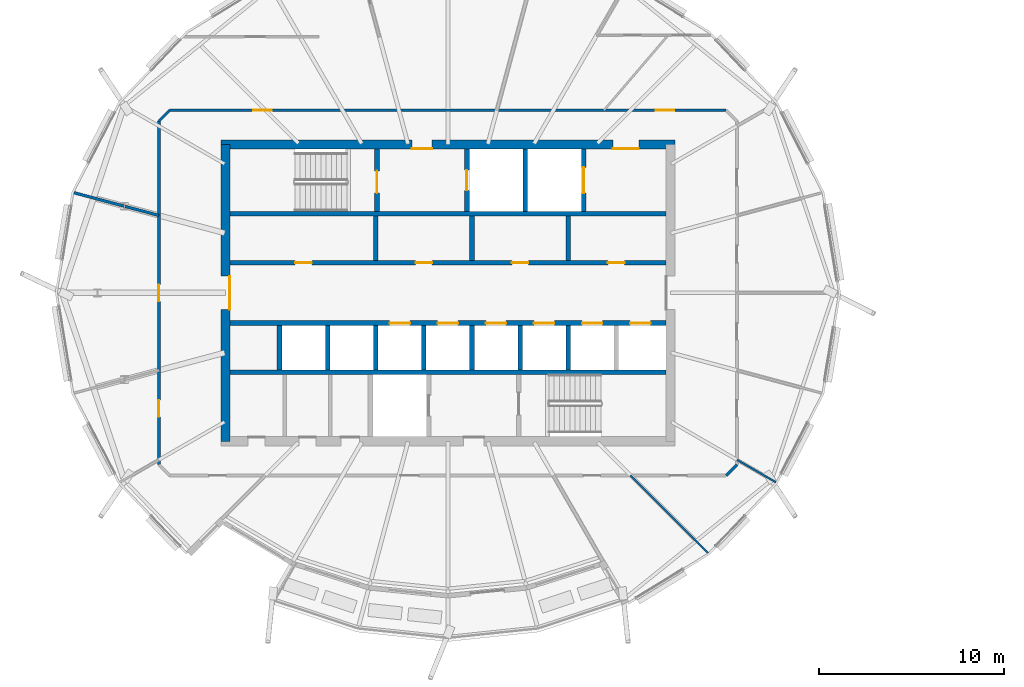
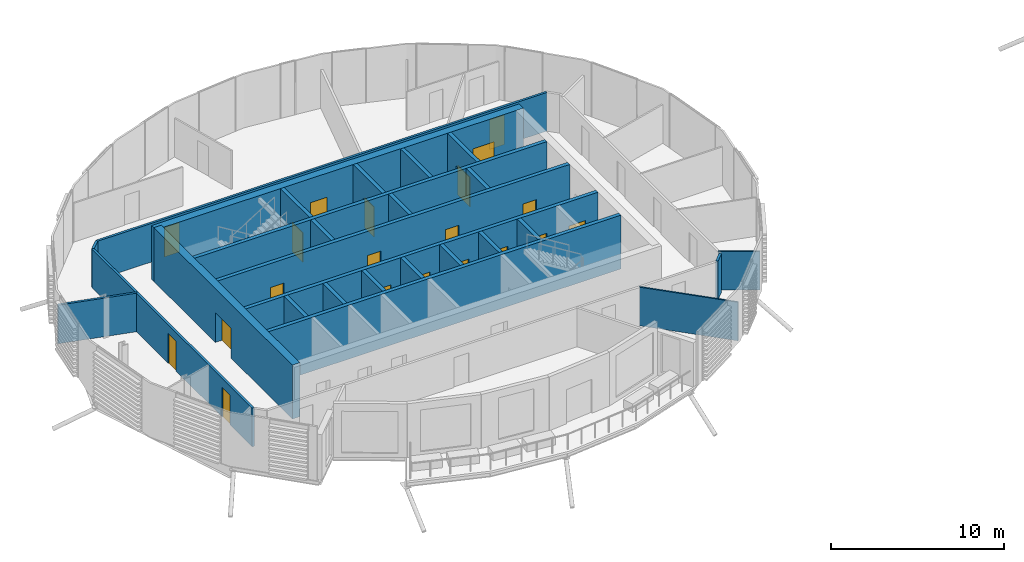
# One storey, part 21 of 41: 27 walls, 20 doors, 20 openings.
"""IFC4 building model written with IfcOpenShell, lengths in metres."""

from ifc_helpers import new_model, si_unit, direction, frame, frame_2d, origin, place, context, subcontext, project, spatial, rectangle, extrude, material, layer, layer_set, type_object, element, fill, save


model = new_model("IFC4")

# Units and contexts
model_context = context("Model", 3, precision=1e-05, world=origin(), true_north=direction((0.0, 1.0)))
body_context = subcontext(model_context, "Body", "Model", "MODEL_VIEW")
ifc_project = project(units=[si_unit("LENGTHUNIT", "METRE"), si_unit("AREAUNIT", "SQUARE_METRE"), si_unit("VOLUMEUNIT", "CUBIC_METRE"), si_unit("PLANEANGLEUNIT", "RADIAN"), si_unit("MASSUNIT", "GRAM", prefix="KILO")], contexts=[model_context])

# Site, building, storey
site_placement = place(None, origin())
site = spatial("IfcSite", under=ifc_project, at=site_placement, CompositionType="ELEMENT")
building_placement = place(site_placement, origin())
building = spatial("IfcBuilding", under=site, at=building_placement, Name="Rimbun Link Towers", CompositionType="ELEMENT")
storey_placement = place(building_placement, frame((0.0, 0.0, 210.5)))
storey = spatial("IfcBuildingStorey", under=building, at=storey_placement, Name="L51", CompositionType="ELEMENT", Elevation=210.5)

# Wall, openings, doors
ifc_material_1 = material(Name="Concrete C60/75", Category="concrete")
ifc_layer_1 = layer(ifc_material_1, 0.5)
ifc_layer_set_1 = layer_set([ifc_layer_1], Name="Core shear wall 500")
wall_type_1 = type_object("IfcWallType", Name="Core shear wall 500", PredefinedType="SHEAR", material=ifc_layer_set_1)
wall_1_placement = place(storey_placement, frame((-44.0, 8.0, 0.0), z_axis=(0.0, 0.0, 1.0), x_axis=(1.0, 0.0, 0.0)))
wall_1 = element("IfcWall", 1, at=wall_1_placement, inside=storey, type_object=wall_type_1, Name="L51 T1 core wall N", PredefinedType="SHEAR", context=body_context, shape_type="SweptSolid", body=[
    extrude(rectangle(XDim=24.5, YDim=0.5, at=frame_2d((12.25, 0.0))), origin(), (0.0, 0.0, 1.0), 3.800048828125),
])
opening_1_placement = place(wall_1_placement, frame((10.300048828125, 0.0, 0.0)))
opening_1 = element("IfcOpeningElement", 2, at=opening_1_placement, cuts=wall_1, Name="Opening C1DCF01N", PredefinedType="OPENING", context=body_context, shape_type="SweptSolid", body=[
    extrude(rectangle(XDim=1.10009765625, YDim=2.10009765625, at=frame_2d((0.550048828125, 1.050048828125))), frame((0.0, 0.260009765625, 0.0), z_axis=(0.0, -1.0, 0.0), x_axis=(1.0, 0.0, 0.0)), (0.0, 0.0, 1.0), 0.52001953125),
])
opening_2_placement = place(wall_1_placement, frame((21.14990234375, 0.0, 0.0)))
opening_2 = element("IfcOpeningElement", 3, at=opening_2_placement, cuts=wall_1, Name="Opening C1DSL02N", PredefinedType="OPENING", context=body_context, shape_type="SweptSolid", body=[
    extrude(rectangle(XDim=1.39990234375, YDim=2.10009765625, at=frame_2d((0.699951171875, 1.050048828125))), frame((0.0, 0.260009765625, 0.0), z_axis=(0.0, -1.0, 0.0), x_axis=(1.0, 0.0, 0.0)), (0.0, 0.0, 1.0), 0.52001953125),
])
ifc_material_2 = material(Name="Steel fire door set", Category="steel")
door_type_1 = type_object("IfcDoorType", Name="Core fire door single", OperationType="SINGLE_SWING_LEFT", PredefinedType="DOOR", material=ifc_material_2)
door_1_placement = place(opening_1_placement, origin())
door_1 = element("IfcDoor", 4, at=door_1_placement, inside=storey, type_object=door_type_1, Name="L51 T1 firefighting lobby n door", OperationType="SINGLE_SWING_RIGHT", OverallHeight=2.10009765625, OverallWidth=1.10009765625, PredefinedType="DOOR", context=body_context, shape_type="SweptSolid", body=[
    extrude(rectangle(XDim=1.10009765625, YDim=2.10009765625, at=frame_2d((0.550048828125, 1.050048828125))), frame((0.0, -0.2001953125, 0.0), z_axis=(0.0, -1.0, 0.0), x_axis=(1.0, 0.0, 0.0)), (0.0, 0.0, 1.0), 0.050048828125),
])
fill(opening_1, door_1)
ifc_material_3 = material(Name="Steel fire door set", Category="steel")
door_type_2 = type_object("IfcDoorType", Name="Service lobby door double", OperationType="DOUBLE_DOOR_SINGLE_SWING", PredefinedType="DOOR", material=ifc_material_3)
door_2_placement = place(opening_2_placement, origin())
door_2 = element("IfcDoor", 5, at=door_2_placement, inside=storey, type_object=door_type_2, Name="L51 T1 service lobby door", OperationType="DOUBLE_DOOR_SINGLE_SWING", OverallHeight=2.10009765625, OverallWidth=1.39990234375, PredefinedType="DOOR", context=body_context, shape_type="SweptSolid", body=[
    extrude(rectangle(XDim=1.39990234375, YDim=2.10009765625, at=frame_2d((0.699951171875, 1.050048828125))), frame((0.0, -0.2001953125, 0.0), z_axis=(0.0, -1.0, 0.0), x_axis=(1.0, 0.0, 0.0)), (0.0, 0.0, 1.0), 0.050048828125),
])
fill(opening_2, door_2)

# Wall, opening, door
wall_2_placement = place(storey_placement, frame((-43.75, -8.0, 0.0), z_axis=(0.0, 0.0, 1.0), x_axis=(0.0, 1.0, 0.0)))
wall_2 = element("IfcWall", 6, at=wall_2_placement, inside=storey, type_object=wall_type_1, Name="L51 T1 core wall W", PredefinedType="SHEAR", context=body_context, shape_type="SweptSolid", body=[
    extrude(rectangle(XDim=16.0, YDim=0.5, at=frame_2d((8.0, 0.0))), origin(), (0.0, 0.0, 1.0), 3.800048828125),
])
opening_3_placement = place(wall_2_placement, frame((7.10009765625, 0.0, 0.0)))
opening_3 = element("IfcOpeningElement", 7, at=opening_3_placement, cuts=wall_2, Name="Opening C1DCL01W", PredefinedType="OPENING", context=body_context, shape_type="SweptSolid", body=[
    extrude(rectangle(XDim=1.800048828125, YDim=2.10009765625, at=frame_2d((0.89990234375, 1.050048828125))), frame((0.0, 0.260009765625, 0.0), z_axis=(0.0, -1.0, 0.0), x_axis=(1.0, 0.0, 0.0)), (0.0, 0.0, 1.0), 0.52001953125),
])
ifc_material_4 = material(Name="Steel fire door set", Category="steel")
door_type_3 = type_object("IfcDoorType", Name="Core lobby door double", OperationType="DOUBLE_DOOR_SINGLE_SWING", PredefinedType="DOOR", material=ifc_material_4)
door_3_placement = place(opening_3_placement, origin())
door_3 = element("IfcDoor", 8, at=door_3_placement, inside=storey, type_object=door_type_3, Name="L51 T1 lift lobby door", OperationType="DOUBLE_DOOR_SINGLE_SWING", OverallHeight=2.10009765625, OverallWidth=1.800048828125, PredefinedType="DOOR", context=body_context, shape_type="SweptSolid", body=[
    extrude(rectangle(XDim=1.800048828125, YDim=2.10009765625, at=frame_2d((0.89990234375, 1.050048828125))), frame((0.0, -0.2001953125, 0.0), z_axis=(0.0, -1.0, 0.0), x_axis=(1.0, 0.0, 0.0)), (0.0, 0.0, 1.0), 0.050048828125),
])
fill(opening_3, door_3)

# Wall, openings, doors
ifc_material_5 = material(Name="Plasterboard on steel stud, mineral wool", Category="steel")
ifc_layer_2 = layer(ifc_material_5, 0.14990234375)
ifc_layer_set_2 = layer_set([ifc_layer_2], Name="Corridor wall EI 30 150 mm")
wall_type_2 = type_object("IfcWallType", Name="Corridor wall EI 30 150 mm", PredefinedType="PARTITIONING", material=ifc_layer_set_2)
wall_3_placement = place(storey_placement, frame((-46.753662109375, 9.844970703125, 0.0), z_axis=(0.0, 0.0, 1.0), x_axis=(1.0, 0.0, 0.0)))
wall_3 = element("IfcWall", 9, at=wall_3_placement, inside=storey, type_object=wall_type_2, Name="Corridor wall EI 30 150 mm", PredefinedType="PARTITIONING", context=body_context, shape_type="SweptSolid", body=[
    extrude(rectangle(XDim=30.00732421875, YDim=0.14990234375, at=frame_2d((15.003662109375, 0.0))), origin(), (0.0, 0.0, 1.0), 2.721923828125),
])
opening_4_placement = place(wall_3_placement, frame((26.2119140625, 0.0, 0.0)))
opening_4 = element("IfcOpeningElement", 10, at=opening_4_placement, cuts=wall_3, Name="Opening D01", PredefinedType="OPENING", context=body_context, shape_type="SweptSolid", body=[
    extrude(rectangle(XDim=1.0, YDim=2.10009765625, at=frame_2d((0.5, 1.050048828125))), frame((0.0, 0.0849609375, 0.0), z_axis=(0.0, -1.0, 0.0), x_axis=(1.0, 0.0, 0.0)), (0.0, 0.0, 1.0), 0.169921875),
])
opening_5_placement = place(wall_3_placement, frame((4.50244140625, 0.0, 0.0)))
opening_5 = element("IfcOpeningElement", 11, at=opening_5_placement, cuts=wall_3, Name="Opening D01", PredefinedType="OPENING", context=body_context, shape_type="SweptSolid", body=[
    extrude(rectangle(XDim=1.0, YDim=2.10009765625, at=frame_2d((0.5, 1.050048828125))), frame((0.0, 0.0849609375, 0.0), z_axis=(0.0, -1.0, 0.0), x_axis=(1.0, 0.0, 0.0)), (0.0, 0.0, 1.0), 0.169921875),
])
ifc_material_6 = material(Name="Fire-resisting timber door leaf", Category="wood")
door_type_4 = type_object("IfcDoorType", Name="Fire door FD30S 1000", OperationType="NOTDEFINED", PredefinedType="DOOR", material=ifc_material_6)
door_4_placement = place(opening_4_placement, origin())
door_4 = element("IfcDoor", 12, at=door_4_placement, inside=storey, type_object=door_type_4, Name="Fire door FD30S 1000 to Reception", OperationType="SINGLE_SWING_LEFT", OverallHeight=2.10009765625, OverallWidth=1.0, PredefinedType="DOOR", context=body_context, shape_type="SweptSolid", body=[
    extrude(rectangle(XDim=1.0, YDim=2.10009765625, at=frame_2d((0.5, 1.050048828125))), frame((0.0, 0.02490234375, 0.0), z_axis=(0.0, -1.0, 0.0), x_axis=(1.0, 0.0, 0.0)), (0.0, 0.0, 1.0), 0.050048828125),
])
fill(opening_4, door_4)
door_5_placement = place(opening_5_placement, origin())
door_5 = element("IfcDoor", 13, at=door_5_placement, inside=storey, type_object=door_type_4, Name="Fire door FD30S 1000 to Reception", OperationType="SINGLE_SWING_RIGHT", OverallHeight=2.10009765625, OverallWidth=1.0, PredefinedType="DOOR", context=body_context, shape_type="SweptSolid", body=[
    extrude(rectangle(XDim=1.0, YDim=2.10009765625, at=frame_2d((0.5, 1.050048828125))), frame((0.0, 0.02490234375, 0.0), z_axis=(0.0, -1.0, 0.0), x_axis=(1.0, 0.0, 0.0)), (0.0, 0.0, 1.0), 0.050048828125),
])
fill(opening_5, door_5)

# Wall
wall_4_placement = place(storey_placement, frame((-16.746337890625, -9.844970703125, 0.0), z_axis=(0.0, 0.0, 1.0), x_axis=(0.707106781187, 0.707106781187, 0.0)))
element("IfcWall", 14, at=wall_4_placement, inside=storey, type_object=wall_type_2, Name="Corridor wall EI 30 150 mm", PredefinedType="PARTITIONING", context=body_context, shape_type="SweptSolid", body=[
    extrude(rectangle(XDim=0.822021484375, YDim=0.14990234375, at=frame_2d((0.4111328125, 0.0))), origin(), (0.0, 0.0, 1.0), 2.721923828125),
])

# Wall, openings, doors
wall_5_placement = place(storey_placement, frame((-47.3349609375, -9.263671875, 0.0), z_axis=(0.0, 0.0, 1.0), x_axis=(0.0, 1.0, 0.0)))
wall_5 = element("IfcWall", 15, at=wall_5_placement, inside=storey, type_object=wall_type_2, Name="Corridor wall EI 30 150 mm", PredefinedType="PARTITIONING", context=body_context, shape_type="SweptSolid", body=[
    extrude(rectangle(XDim=18.52734375, YDim=0.14990234375, at=frame_2d((9.263671875, 0.0))), origin(), (0.0, 0.0, 1.0), 2.721923828125),
])
opening_6_placement = place(wall_5_placement, frame((8.813720703125, 0.0, 0.0)))
opening_6 = element("IfcOpeningElement", 16, at=opening_6_placement, cuts=wall_5, Name="Opening D02", PredefinedType="OPENING", context=body_context, shape_type="SweptSolid", body=[
    extrude(rectangle(XDim=0.89990234375, YDim=2.10009765625, at=frame_2d((0.449951171875, 1.050048828125))), frame((0.0, 0.0849609375, 0.0), z_axis=(0.0, -1.0, 0.0), x_axis=(1.0, 0.0, 0.0)), (0.0, 0.0, 1.0), 0.169921875),
])
opening_7_placement = place(wall_5_placement, frame((2.585693359375, 0.0, 0.0)))
opening_7 = element("IfcOpeningElement", 17, at=opening_7_placement, cuts=wall_5, Name="Opening D02", PredefinedType="OPENING", context=body_context, shape_type="SweptSolid", body=[
    extrude(rectangle(XDim=0.89990234375, YDim=2.10009765625, at=frame_2d((0.449951171875, 1.050048828125))), frame((0.0, 0.0849609375, 0.0), z_axis=(0.0, -1.0, 0.0), x_axis=(1.0, 0.0, 0.0)), (0.0, 0.0, 1.0), 0.169921875),
])
ifc_material_7 = material(Name="Fire-resisting timber door leaf", Category="wood")
door_type_5 = type_object("IfcDoorType", Name="Fire door FD30S 900", OperationType="NOTDEFINED", PredefinedType="DOOR", material=ifc_material_7)
door_6_placement = place(opening_6_placement, origin())
door_6 = element("IfcDoor", 18, at=door_6_placement, inside=storey, type_object=door_type_5, Name="Fire door FD30S 900 to Meeting room", OperationType="SINGLE_SWING_LEFT", OverallHeight=2.10009765625, OverallWidth=0.89990234375, PredefinedType="DOOR", context=body_context, shape_type="SweptSolid", body=[
    extrude(rectangle(XDim=0.89990234375, YDim=2.10009765625, at=frame_2d((0.449951171875, 1.050048828125))), frame((0.0, 0.02490234375, 0.0), z_axis=(0.0, -1.0, 0.0), x_axis=(1.0, 0.0, 0.0)), (0.0, 0.0, 1.0), 0.050048828125),
])
fill(opening_6, door_6)
door_7_placement = place(opening_7_placement, origin())
door_7 = element("IfcDoor", 19, at=door_7_placement, inside=storey, type_object=door_type_5, Name="Fire door FD30S 900 to Open office", OperationType="SINGLE_SWING_RIGHT", OverallHeight=2.10009765625, OverallWidth=0.89990234375, PredefinedType="DOOR", context=body_context, shape_type="SweptSolid", body=[
    extrude(rectangle(XDim=0.89990234375, YDim=2.10009765625, at=frame_2d((0.449951171875, 1.050048828125))), frame((0.0, 0.02490234375, 0.0), z_axis=(0.0, -1.0, 0.0), x_axis=(1.0, 0.0, 0.0)), (0.0, 0.0, 1.0), 0.050048828125),
])
fill(opening_7, door_7)

# Walls
wall_6_placement = place(storey_placement, frame((-46.753662109375, 9.844970703125, 0.0), z_axis=(0.0, 0.0, 1.0), x_axis=(-0.707106781187, -0.707106781187, 0.0)))
element("IfcWall", 20, at=wall_6_placement, inside=storey, type_object=wall_type_2, Name="Corridor wall EI 30 150 mm", PredefinedType="PARTITIONING", context=body_context, shape_type="SweptSolid", body=[
    extrude(rectangle(XDim=0.822021484375, YDim=0.14990234375, at=frame_2d((0.4111328125, 0.0))), origin(), (0.0, 0.0, 1.0), 2.721923828125),
])
ifc_material_8 = material(Name="Plasterboard on steel stud", Category="steel")
ifc_layer_3 = layer(ifc_material_8, 0.10009765625)
ifc_layer_set_3 = layer_set([ifc_layer_3], Name="Plasterboard partition 100 mm")
wall_type_3 = type_object("IfcWallType", Name="Plasterboard partition 100 mm", PredefinedType="PARTITIONING", material=ifc_layer_set_3)
wall_7_placement = place(storey_placement, frame((-17.7236328125, -14.0263671875, 0.0), z_axis=(0.0, 0.0, 1.0), x_axis=(-0.707106781187, 0.707106781187, 0.0)))
element("IfcWall", 21, at=wall_7_placement, inside=storey, type_object=wall_type_3, Name="Plasterboard partition 100 mm", PredefinedType="PARTITIONING", context=body_context, shape_type="SweptSolid", body=[
    extrude(rectangle(XDim=5.913330078125, YDim=0.10009765625, at=frame_2d((2.95654296875, 0.0))), origin(), (0.0, 0.0, 1.0), 2.721923828125),
])
wall_8_placement = place(storey_placement, frame((-14.065185546875, -10.21044921875, 0.0), z_axis=(0.0, 0.0, 1.0), x_axis=(-0.866016233231, 0.500015883528, 0.0)))
element("IfcWall", 22, at=wall_8_placement, inside=storey, type_object=wall_type_3, Name="Plasterboard partition 100 mm", PredefinedType="PARTITIONING", context=body_context, shape_type="SweptSolid", body=[
    extrude(rectangle(XDim=2.4248046875, YDim=0.10009765625, at=frame_2d((1.21240234375, 0.0))), origin(), (0.0, 0.0, 1.0), 2.721923828125),
])
ifc_material_9 = material(Name="Concrete C60/75", Category="concrete")
ifc_layer_4 = layer(ifc_material_9, 0.25)
ifc_layer_set_4 = layer_set([ifc_layer_4], Name="Shaft wall 250")
wall_type_4 = type_object("IfcWallType", Name="Shaft wall 250", PredefinedType="SHEAR", material=ifc_layer_set_4)
for number, where, z_axis, x_axis, name in (
    (23, (-43.5, 4.27490234375, 0.0), (0.0, 0.0, 1.0), (1.0, 0.0, 0.0), "L51 T1 core wall BN"),
    (24, (-43.5, -4.27490234375, 0.0), (0.0, 0.0, 1.0), (1.0, 0.0, 0.0), "L51 T1 core wall BS"),
):
    element("IfcWall", number, at=place(storey_placement, frame(where, z_axis=z_axis, x_axis=x_axis)), inside=storey, type_object=wall_type_4, Name=name, PredefinedType="SHEAR", context=body_context, shape_type="SweptSolid", body=[
        extrude(rectangle(XDim=23.5, YDim=0.25, at=frame_2d((11.75, 0.0))), origin(), (0.0, 0.0, 1.0), 3.800048828125),
    ])

# Wall, openings, doors
wall_9_placement = place(storey_placement, frame((-43.5, 1.625, 0.0), z_axis=(0.0, 0.0, 1.0), x_axis=(1.0, 0.0, 0.0)))
wall_9 = element("IfcWall", 25, at=wall_9_placement, inside=storey, type_object=wall_type_4, Name="L51 T1 core wall FN", PredefinedType="SHEAR", context=body_context, shape_type="SweptSolid", body=[
    extrude(rectangle(XDim=23.5, YDim=0.25, at=frame_2d((11.75, 0.0))), origin(), (0.0, 0.0, 1.0), 3.800048828125),
])
opening_8_placement = place(wall_9_placement, frame((3.5166015625, 0.0, 0.0)))
opening_8 = element("IfcOpeningElement", 26, at=opening_8_placement, cuts=wall_9, Name="Opening C1DRS01FN", PredefinedType="OPENING", context=body_context, shape_type="SweptSolid", body=[
    extrude(rectangle(XDim=0.89990234375, YDim=2.10009765625, at=frame_2d((0.449951171875, 1.050048828125))), frame((0.0, 0.135009765625, 0.0), z_axis=(0.0, -1.0, 0.0), x_axis=(1.0, 0.0, 0.0)), (0.0, 0.0, 1.0), 0.27001953125),
])
opening_9_placement = place(wall_9_placement, frame((10.002685546875, 0.0, 0.0)))
opening_9 = element("IfcOpeningElement", 27, at=opening_9_placement, cuts=wall_9, Name="Opening C1DRS02FN", PredefinedType="OPENING", context=body_context, shape_type="SweptSolid", body=[
    extrude(rectangle(XDim=0.89990234375, YDim=2.10009765625, at=frame_2d((0.449951171875, 1.050048828125))), frame((0.0, 0.135009765625, 0.0), z_axis=(0.0, -1.0, 0.0), x_axis=(1.0, 0.0, 0.0)), (0.0, 0.0, 1.0), 0.27001953125),
])
opening_10_placement = place(wall_9_placement, frame((15.191650390625, 0.0, 0.0)))
opening_10 = element("IfcOpeningElement", 28, at=opening_10_placement, cuts=wall_9, Name="Opening C1DRS03FN", PredefinedType="OPENING", context=body_context, shape_type="SweptSolid", body=[
    extrude(rectangle(XDim=0.89990234375, YDim=2.10009765625, at=frame_2d((0.449951171875, 1.050048828125))), frame((0.0, 0.135009765625, 0.0), z_axis=(0.0, -1.0, 0.0), x_axis=(1.0, 0.0, 0.0)), (0.0, 0.0, 1.0), 0.27001953125),
])
opening_11_placement = place(wall_9_placement, frame((20.380615234375, 0.0, 0.0)))
opening_11 = element("IfcOpeningElement", 29, at=opening_11_placement, cuts=wall_9, Name="Opening C1DRS04FN", PredefinedType="OPENING", context=body_context, shape_type="SweptSolid", body=[
    extrude(rectangle(XDim=0.89990234375, YDim=2.10009765625, at=frame_2d((0.449951171875, 1.050048828125))), frame((0.0, 0.135009765625, 0.0), z_axis=(0.0, -1.0, 0.0), x_axis=(1.0, 0.0, 0.0)), (0.0, 0.0, 1.0), 0.27001953125),
])
ifc_material_10 = material(Name="Steel fire door set", Category="steel")
door_type_6 = type_object("IfcDoorType", Name="Core riser door", OperationType="SINGLE_SWING_LEFT", PredefinedType="DOOR", material=ifc_material_10)
door_8_placement = place(opening_8_placement, origin())
door_8 = element("IfcDoor", 30, at=door_8_placement, inside=storey, type_object=door_type_6, Name="L51 T1 training store door", OperationType="SINGLE_SWING_LEFT", OverallHeight=2.10009765625, OverallWidth=0.89990234375, PredefinedType="DOOR", context=body_context, shape_type="SweptSolid", body=[
    extrude(rectangle(XDim=0.89990234375, YDim=2.10009765625, at=frame_2d((0.449951171875, 1.050048828125))), frame((0.0, 0.02490234375, 0.0), z_axis=(0.0, -1.0, 0.0), x_axis=(1.0, 0.0, 0.0)), (0.0, 0.0, 1.0), 0.050048828125),
])
fill(opening_8, door_8)
door_9_placement = place(opening_9_placement, origin())
door_9 = element("IfcDoor", 31, at=door_9_placement, inside=storey, type_object=door_type_6, Name="L51 T1 print room door", OperationType="SINGLE_SWING_LEFT", OverallHeight=2.10009765625, OverallWidth=0.89990234375, PredefinedType="DOOR", context=body_context, shape_type="SweptSolid", body=[
    extrude(rectangle(XDim=0.89990234375, YDim=2.10009765625, at=frame_2d((0.449951171875, 1.050048828125))), frame((0.0, 0.02490234375, 0.0), z_axis=(0.0, -1.0, 0.0), x_axis=(1.0, 0.0, 0.0)), (0.0, 0.0, 1.0), 0.050048828125),
])
fill(opening_9, door_9)
door_10_placement = place(opening_10_placement, origin())
door_10 = element("IfcDoor", 32, at=door_10_placement, inside=storey, type_object=door_type_6, Name="L51 T1 staff lounge door", OperationType="SINGLE_SWING_RIGHT", OverallHeight=2.10009765625, OverallWidth=0.89990234375, PredefinedType="DOOR", context=body_context, shape_type="SweptSolid", body=[
    extrude(rectangle(XDim=0.89990234375, YDim=2.10009765625, at=frame_2d((0.449951171875, 1.050048828125))), frame((0.0, 0.02490234375, 0.0), z_axis=(0.0, -1.0, 0.0), x_axis=(1.0, 0.0, 0.0)), (0.0, 0.0, 1.0), 0.050048828125),
])
fill(opening_10, door_10)
door_11_placement = place(opening_11_placement, origin())
door_11 = element("IfcDoor", 33, at=door_11_placement, inside=storey, type_object=door_type_6, Name="L51 T1 phone room door", OperationType="SINGLE_SWING_LEFT", OverallHeight=2.10009765625, OverallWidth=0.89990234375, PredefinedType="DOOR", context=body_context, shape_type="SweptSolid", body=[
    extrude(rectangle(XDim=0.89990234375, YDim=2.10009765625, at=frame_2d((0.449951171875, 1.050048828125))), frame((0.0, 0.02490234375, 0.0), z_axis=(0.0, -1.0, 0.0), x_axis=(1.0, 0.0, 0.0)), (0.0, 0.0, 1.0), 0.050048828125),
])
fill(opening_11, door_11)

wall_10_placement = place(storey_placement, frame((-43.5, -1.625, 0.0), z_axis=(0.0, 0.0, 1.0), x_axis=(1.0, 0.0, 0.0)))
wall_10 = element("IfcWall", 34, at=wall_10_placement, inside=storey, type_object=wall_type_4, Name="L51 T1 core wall FS", PredefinedType="SHEAR", context=body_context, shape_type="SweptSolid", body=[
    extrude(rectangle(XDim=23.5, YDim=0.25, at=frame_2d((11.75, 0.0))), origin(), (0.0, 0.0, 1.0), 3.800048828125),
])
opening_12_placement = place(wall_10_placement, frame((8.605712890625, 0.0, 0.0)))
opening_12 = element("IfcOpeningElement", 35, at=opening_12_placement, cuts=wall_10, Name="Opening LD-T1-HR1", PredefinedType="OPENING", context=body_context, shape_type="SweptSolid", body=[
    extrude(rectangle(XDim=1.10009765625, YDim=2.10009765625, at=frame_2d((0.550048828125, 1.050048828125))), frame((0.0, 0.135009765625, 0.0), z_axis=(0.0, -1.0, 0.0), x_axis=(1.0, 0.0, 0.0)), (0.0, 0.0, 1.0), 0.27001953125),
])
opening_13_placement = place(wall_10_placement, frame((11.199951171875, 0.0, 0.0)))
opening_13 = element("IfcOpeningElement", 36, at=opening_13_placement, cuts=wall_10, Name="Opening LD-T1-HR2", PredefinedType="OPENING", context=body_context, shape_type="SweptSolid", body=[
    extrude(rectangle(XDim=1.10009765625, YDim=2.10009765625, at=frame_2d((0.550048828125, 1.050048828125))), frame((0.0, 0.135009765625, 0.0), z_axis=(0.0, -1.0, 0.0), x_axis=(1.0, 0.0, 0.0)), (0.0, 0.0, 1.0), 0.27001953125),
])
opening_14_placement = place(wall_10_placement, frame((13.79443359375, 0.0, 0.0)))
opening_14 = element("IfcOpeningElement", 37, at=opening_14_placement, cuts=wall_10, Name="Opening LD-T1-HR3", PredefinedType="OPENING", context=body_context, shape_type="SweptSolid", body=[
    extrude(rectangle(XDim=1.10009765625, YDim=2.10009765625, at=frame_2d((0.550048828125, 1.050048828125))), frame((0.0, 0.135009765625, 0.0), z_axis=(0.0, -1.0, 0.0), x_axis=(1.0, 0.0, 0.0)), (0.0, 0.0, 1.0), 0.27001953125),
])
opening_15_placement = place(wall_10_placement, frame((16.388916015625, 0.0, 0.0)))
opening_15 = element("IfcOpeningElement", 38, at=opening_15_placement, cuts=wall_10, Name="Opening LD-T1-HR4", PredefinedType="OPENING", context=body_context, shape_type="SweptSolid", body=[
    extrude(rectangle(XDim=1.10009765625, YDim=2.10009765625, at=frame_2d((0.550048828125, 1.050048828125))), frame((0.0, 0.135009765625, 0.0), z_axis=(0.0, -1.0, 0.0), x_axis=(1.0, 0.0, 0.0)), (0.0, 0.0, 1.0), 0.27001953125),
])
opening_16_placement = place(wall_10_placement, frame((18.9833984375, 0.0, 0.0)))
opening_16 = element("IfcOpeningElement", 39, at=opening_16_placement, cuts=wall_10, Name="Opening LD-T1-HR5", PredefinedType="OPENING", context=body_context, shape_type="SweptSolid", body=[
    extrude(rectangle(XDim=1.10009765625, YDim=2.10009765625, at=frame_2d((0.550048828125, 1.050048828125))), frame((0.0, 0.135009765625, 0.0), z_axis=(0.0, -1.0, 0.0), x_axis=(1.0, 0.0, 0.0)), (0.0, 0.0, 1.0), 0.27001953125),
])
opening_17_placement = place(wall_10_placement, frame((21.577880859375, 0.0, 0.0)))
opening_17 = element("IfcOpeningElement", 40, at=opening_17_placement, cuts=wall_10, Name="Opening LD-T1-HR6", PredefinedType="OPENING", context=body_context, shape_type="SweptSolid", body=[
    extrude(rectangle(XDim=1.10009765625, YDim=2.10009765625, at=frame_2d((0.550048828125, 1.050048828125))), frame((0.0, 0.135009765625, 0.0), z_axis=(0.0, -1.0, 0.0), x_axis=(1.0, 0.0, 0.0)), (0.0, 0.0, 1.0), 0.27001953125),
])
ifc_material_11 = material(Name="Stainless steel grade 316", Category="steel")
door_type_7 = type_object("IfcDoorType", Name="Lift landing door", OperationType="DOUBLE_DOOR_SLIDING", PredefinedType="DOOR", material=ifc_material_11)
door_12_placement = place(opening_12_placement, origin())
door_12 = element("IfcDoor", 41, at=door_12_placement, inside=storey, type_object=door_type_7, Name="L51 T1 lift HR1 landing door", OperationType="DOUBLE_DOOR_SLIDING", OverallHeight=2.10009765625, OverallWidth=1.10009765625, PredefinedType="DOOR", context=body_context, shape_type="SweptSolid", body=[
    extrude(rectangle(XDim=1.10009765625, YDim=2.10009765625, at=frame_2d((0.550048828125, 1.050048828125))), frame((0.0, 0.02490234375, 0.0), z_axis=(0.0, -1.0, 0.0), x_axis=(1.0, 0.0, 0.0)), (0.0, 0.0, 1.0), 0.050048828125),
])
fill(opening_12, door_12)
door_13_placement = place(opening_13_placement, origin())
door_13 = element("IfcDoor", 42, at=door_13_placement, inside=storey, type_object=door_type_7, Name="L51 T1 lift HR2 landing door", OperationType="DOUBLE_DOOR_SLIDING", OverallHeight=2.10009765625, OverallWidth=1.10009765625, PredefinedType="DOOR", context=body_context, shape_type="SweptSolid", body=[
    extrude(rectangle(XDim=1.10009765625, YDim=2.10009765625, at=frame_2d((0.550048828125, 1.050048828125))), frame((0.0, 0.02490234375, 0.0), z_axis=(0.0, -1.0, 0.0), x_axis=(1.0, 0.0, 0.0)), (0.0, 0.0, 1.0), 0.050048828125),
])
fill(opening_13, door_13)
door_14_placement = place(opening_14_placement, origin())
door_14 = element("IfcDoor", 43, at=door_14_placement, inside=storey, type_object=door_type_7, Name="L51 T1 lift HR3 landing door", OperationType="DOUBLE_DOOR_SLIDING", OverallHeight=2.10009765625, OverallWidth=1.10009765625, PredefinedType="DOOR", context=body_context, shape_type="SweptSolid", body=[
    extrude(rectangle(XDim=1.10009765625, YDim=2.10009765625, at=frame_2d((0.550048828125, 1.050048828125))), frame((0.0, 0.02490234375, 0.0), z_axis=(0.0, -1.0, 0.0), x_axis=(1.0, 0.0, 0.0)), (0.0, 0.0, 1.0), 0.050048828125),
])
fill(opening_14, door_14)
door_15_placement = place(opening_15_placement, origin())
door_15 = element("IfcDoor", 44, at=door_15_placement, inside=storey, type_object=door_type_7, Name="L51 T1 lift HR4 landing door", OperationType="DOUBLE_DOOR_SLIDING", OverallHeight=2.10009765625, OverallWidth=1.10009765625, PredefinedType="DOOR", context=body_context, shape_type="SweptSolid", body=[
    extrude(rectangle(XDim=1.10009765625, YDim=2.10009765625, at=frame_2d((0.550048828125, 1.050048828125))), frame((0.0, 0.02490234375, 0.0), z_axis=(0.0, -1.0, 0.0), x_axis=(1.0, 0.0, 0.0)), (0.0, 0.0, 1.0), 0.050048828125),
])
fill(opening_15, door_15)
door_16_placement = place(opening_16_placement, origin())
door_16 = element("IfcDoor", 45, at=door_16_placement, inside=storey, type_object=door_type_7, Name="L51 T1 lift HR5 landing door", OperationType="DOUBLE_DOOR_SLIDING", OverallHeight=2.10009765625, OverallWidth=1.10009765625, PredefinedType="DOOR", context=body_context, shape_type="SweptSolid", body=[
    extrude(rectangle(XDim=1.10009765625, YDim=2.10009765625, at=frame_2d((0.550048828125, 1.050048828125))), frame((0.0, 0.02490234375, 0.0), z_axis=(0.0, -1.0, 0.0), x_axis=(1.0, 0.0, 0.0)), (0.0, 0.0, 1.0), 0.050048828125),
])
fill(opening_16, door_16)
door_17_placement = place(opening_17_placement, origin())
door_17 = element("IfcDoor", 46, at=door_17_placement, inside=storey, type_object=door_type_7, Name="L51 T1 lift HR6 landing door", OperationType="DOUBLE_DOOR_SLIDING", OverallHeight=2.10009765625, OverallWidth=1.10009765625, PredefinedType="DOOR", context=body_context, shape_type="SweptSolid", body=[
    extrude(rectangle(XDim=1.10009765625, YDim=2.10009765625, at=frame_2d((0.550048828125, 1.050048828125))), frame((0.0, 0.02490234375, 0.0), z_axis=(0.0, -1.0, 0.0), x_axis=(1.0, 0.0, 0.0)), (0.0, 0.0, 1.0), 0.050048828125),
])
fill(opening_17, door_17)

# Walls
for number, where, z_axis, x_axis, name in (
    (47, (-35.6416015625, 1.75, 0.0), (0.0, 0.0, 1.0), (0.0, 1.0, 0.0), "L51 T1 core wall DN2"),
    (48, (-30.452880859375, 1.75, 0.0), (0.0, 0.0, 1.0), (0.0, 1.0, 0.0), "L51 T1 core wall DN4"),
    (49, (-25.263916015625, 1.75, 0.0), (0.0, 0.0, 1.0), (0.0, 1.0, 0.0), "L51 T1 core wall DN6"),
    (50, (-40.83056640625, -4.14990234375, 0.0), (0.0, 0.0, 1.0), (0.0, 1.0, 0.0), "L51 T1 core wall DS0"),
    (51, (-38.236083984375, -4.14990234375, 0.0), (0.0, 0.0, 1.0), (0.0, 1.0, 0.0), "L51 T1 core wall DS1"),
    (52, (-35.6416015625, -4.14990234375, 0.0), (0.0, 0.0, 1.0), (0.0, 1.0, 0.0), "L51 T1 core wall DS2"),
    (53, (-33.047119140625, -4.14990234375, 0.0), (0.0, 0.0, 1.0), (0.0, 1.0, 0.0), "L51 T1 core wall DS3"),
    (54, (-30.452880859375, -4.14990234375, 0.0), (0.0, 0.0, 1.0), (0.0, 1.0, 0.0), "L51 T1 core wall DS4"),
    (55, (-27.8583984375, -4.14990234375, 0.0), (0.0, 0.0, 1.0), (0.0, 1.0, 0.0), "L51 T1 core wall DS5"),
    (56, (-25.263916015625, -4.14990234375, 0.0), (0.0, 0.0, 1.0), (0.0, 1.0, 0.0), "L51 T1 core wall DS6"),
):
    element("IfcWall", number, at=place(storey_placement, frame(where, z_axis=z_axis, x_axis=x_axis)), inside=storey, type_object=wall_type_4, Name=name, PredefinedType="SHEAR", context=body_context, shape_type="SweptSolid", body=[
        extrude(rectangle(XDim=2.39990234375, YDim=0.25, at=frame_2d((1.199951171875, 0.0))), origin(), (0.0, 0.0, 1.0), 3.800048828125),
    ])

# Wall, opening, door
wall_11_placement = place(storey_placement, frame((-35.574951171875, 4.39990234375, 0.0), z_axis=(0.0, 0.0, 1.0), x_axis=(0.0, 1.0, 0.0)))
wall_11 = element("IfcWall", 57, at=wall_11_placement, inside=storey, type_object=wall_type_4, Name="L51 T1 core wall A1", PredefinedType="SHEAR", context=body_context, shape_type="SweptSolid", body=[
    extrude(rectangle(XDim=3.35009765625, YDim=0.25, at=frame_2d((1.675048828125, 0.0))), origin(), (0.0, 0.0, 1.0), 3.800048828125),
])
opening_18_placement = place(wall_11_placement, frame((0.97509765625, 0.0, 0.0)))
opening_18 = element("IfcOpeningElement", 58, at=opening_18_placement, cuts=wall_11, Name="Opening C1DST01A1", PredefinedType="OPENING", context=body_context, shape_type="SweptSolid", body=[
    extrude(rectangle(XDim=1.199951171875, YDim=2.10009765625, at=frame_2d((0.60009765625, 1.050048828125))), frame((0.0, 0.135009765625, 0.0), z_axis=(0.0, -1.0, 0.0), x_axis=(1.0, 0.0, 0.0)), (0.0, 0.0, 1.0), 0.27001953125),
])
ifc_material_12 = material(Name="Steel fire door set", Category="steel")
door_type_8 = type_object("IfcDoorType", Name="Stair door", OperationType="SINGLE_SWING_LEFT", PredefinedType="DOOR", material=ifc_material_12)
door_18_placement = place(opening_18_placement, origin())
door_18 = element("IfcDoor", 59, at=door_18_placement, inside=storey, type_object=door_type_8, Name="L51 T1 stair a door", OperationType="SINGLE_SWING_RIGHT", OverallHeight=2.10009765625, OverallWidth=1.199951171875, PredefinedType="DOOR", context=body_context, shape_type="SweptSolid", body=[
    extrude(rectangle(XDim=1.199951171875, YDim=2.10009765625, at=frame_2d((0.60009765625, 1.050048828125))), frame((0.0, 0.02490234375, 0.0), z_axis=(0.0, -1.0, 0.0), x_axis=(1.0, 0.0, 0.0)), (0.0, 0.0, 1.0), 0.050048828125),
])
fill(opening_18, door_18)

wall_12_placement = place(storey_placement, frame((-30.72509765625, 4.39990234375, 0.0), z_axis=(0.0, 0.0, 1.0), x_axis=(0.0, 1.0, 0.0)))
wall_12 = element("IfcWall", 60, at=wall_12_placement, inside=storey, type_object=wall_type_4, Name="L51 T1 core wall A2", PredefinedType="SHEAR", context=body_context, shape_type="SweptSolid", body=[
    extrude(rectangle(XDim=3.35009765625, YDim=0.25, at=frame_2d((1.675048828125, 0.0))), origin(), (0.0, 0.0, 1.0), 3.800048828125),
])
opening_19_placement = place(wall_12_placement, frame((1.125, 0.0, 0.0)))
opening_19 = element("IfcOpeningElement", 61, at=opening_19_placement, cuts=wall_12, Name="Opening LD-T1-FF1", PredefinedType="OPENING", context=body_context, shape_type="SweptSolid", body=[
    extrude(rectangle(XDim=1.10009765625, YDim=2.10009765625, at=frame_2d((0.550048828125, 1.050048828125))), frame((0.0, 0.135009765625, 0.0), z_axis=(0.0, -1.0, 0.0), x_axis=(1.0, 0.0, 0.0)), (0.0, 0.0, 1.0), 0.27001953125),
])
door_19_placement = place(opening_19_placement, origin())
door_19 = element("IfcDoor", 62, at=door_19_placement, inside=storey, type_object=door_type_7, Name="L51 T1 lift FF1 landing door", OperationType="DOUBLE_DOOR_SLIDING", OverallHeight=2.10009765625, OverallWidth=1.10009765625, PredefinedType="DOOR", context=body_context, shape_type="SweptSolid", body=[
    extrude(rectangle(XDim=1.10009765625, YDim=2.10009765625, at=frame_2d((0.550048828125, 1.050048828125))), frame((0.0, 0.02490234375, 0.0), z_axis=(0.0, -1.0, 0.0), x_axis=(1.0, 0.0, 0.0)), (0.0, 0.0, 1.0), 0.050048828125),
])
fill(opening_19, door_19)

# Wall
wall_13_placement = place(storey_placement, frame((-27.574951171875, 4.39990234375, 0.0), z_axis=(0.0, 0.0, 1.0), x_axis=(0.0, 1.0, 0.0)))
element("IfcWall", 63, at=wall_13_placement, inside=storey, type_object=wall_type_4, Name="L51 T1 core wall A3", PredefinedType="SHEAR", context=body_context, shape_type="SweptSolid", body=[
    extrude(rectangle(XDim=3.35009765625, YDim=0.25, at=frame_2d((1.675048828125, 0.0))), origin(), (0.0, 0.0, 1.0), 3.800048828125),
])

# Wall, opening, door
wall_14_placement = place(storey_placement, frame((-24.425048828125, 4.39990234375, 0.0), z_axis=(0.0, 0.0, 1.0), x_axis=(0.0, 1.0, 0.0)))
wall_14 = element("IfcWall", 64, at=wall_14_placement, inside=storey, type_object=wall_type_4, Name="L51 T1 core wall A4", PredefinedType="SHEAR", context=body_context, shape_type="SweptSolid", body=[
    extrude(rectangle(XDim=3.35009765625, YDim=0.25, at=frame_2d((1.675048828125, 0.0))), origin(), (0.0, 0.0, 1.0), 3.800048828125),
])
opening_20_placement = place(wall_14_placement, frame((0.97509765625, 0.0, 0.0)))
opening_20 = element("IfcOpeningElement", 65, at=opening_20_placement, cuts=wall_14, Name="Opening LD-T1-GL1", PredefinedType="OPENING", context=body_context, shape_type="SweptSolid", body=[
    extrude(rectangle(XDim=1.39990234375, YDim=2.10009765625, at=frame_2d((0.699951171875, 1.050048828125))), frame((0.0, 0.135009765625, 0.0), z_axis=(0.0, -1.0, 0.0), x_axis=(1.0, 0.0, 0.0)), (0.0, 0.0, 1.0), 0.27001953125),
])
ifc_material_13 = material(Name="Stainless steel grade 316", Category="steel")
door_type_9 = type_object("IfcDoorType", Name="Goods lift landing door", OperationType="DOUBLE_DOOR_SLIDING", PredefinedType="DOOR", material=ifc_material_13)
door_20_placement = place(opening_20_placement, origin())
door_20 = element("IfcDoor", 66, at=door_20_placement, inside=storey, type_object=door_type_9, Name="L51 T1 lift GL1 landing door", OperationType="DOUBLE_DOOR_SLIDING", OverallHeight=2.10009765625, OverallWidth=1.39990234375, PredefinedType="DOOR", context=body_context, shape_type="SweptSolid", body=[
    extrude(rectangle(XDim=1.39990234375, YDim=2.10009765625, at=frame_2d((0.699951171875, 1.050048828125))), frame((0.0, 0.02490234375, 0.0), z_axis=(0.0, -1.0, 0.0), x_axis=(1.0, 0.0, 0.0)), (0.0, 0.0, 1.0), 0.050048828125),
])
fill(opening_20, door_20)

# Wall
ifc_material_14 = material(Name="Plasterboard on steel stud, mineral wool", Category="steel")
ifc_layer_5 = layer(ifc_material_14, 0.14990234375)
ifc_layer_set_5 = layer_set([ifc_layer_5], Name="Tenancy separation wall EI 60 150 mm")
wall_type_5 = type_object("IfcWallType", Name="Tenancy separation wall EI 60 150 mm", PredefinedType="PARTITIONING", material=ifc_layer_set_5)
wall_15_placement = place(storey_placement, frame((-47.3349609375, 4.176025390625, 0.0), z_axis=(0.0, 0.0, 1.0), x_axis=(-0.96593474065, 0.258785773964, 0.0)))
element("IfcWall", 67, at=wall_15_placement, inside=storey, type_object=wall_type_5, Name="Tenancy separation wall EI 60 150 mm", PredefinedType="PARTITIONING", context=body_context, shape_type="SweptSolid", body=[
    extrude(rectangle(XDim=4.748291015625, YDim=0.14990234375, at=frame_2d((2.3740234375, 0.0))), origin(), (0.0, 0.0, 1.0), 2.721923828125),
])

save(model, "model.ifc")
